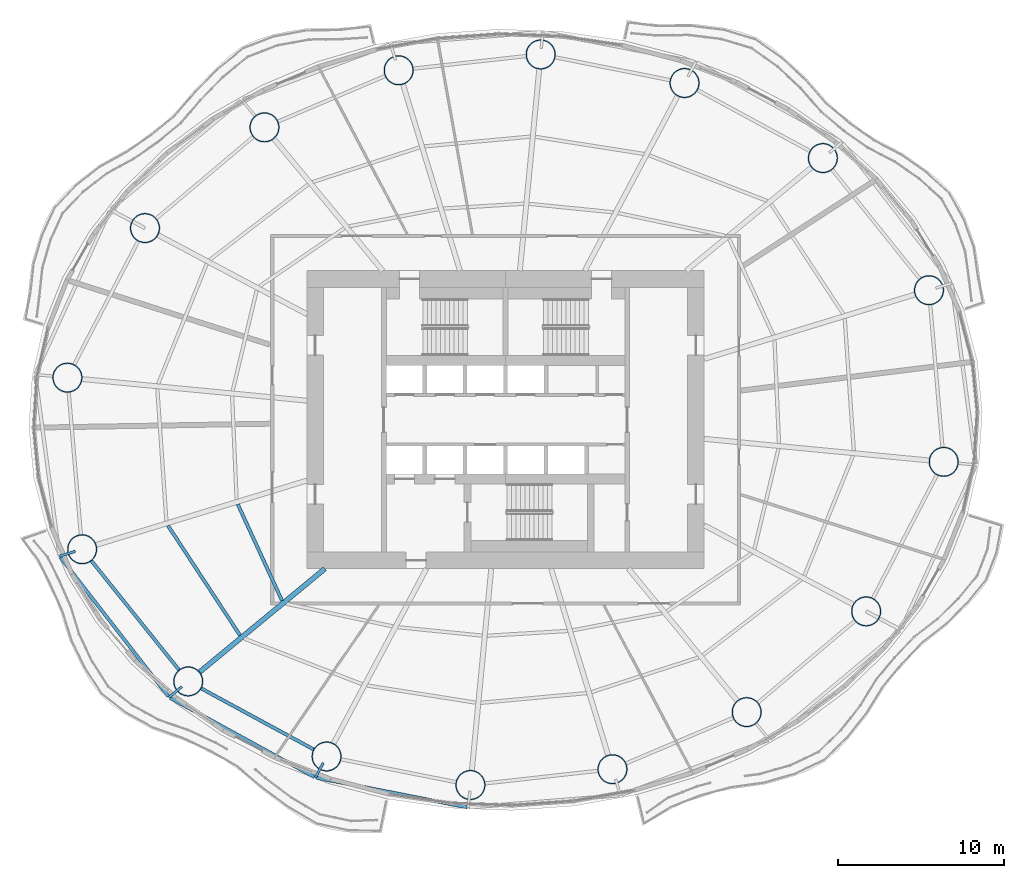
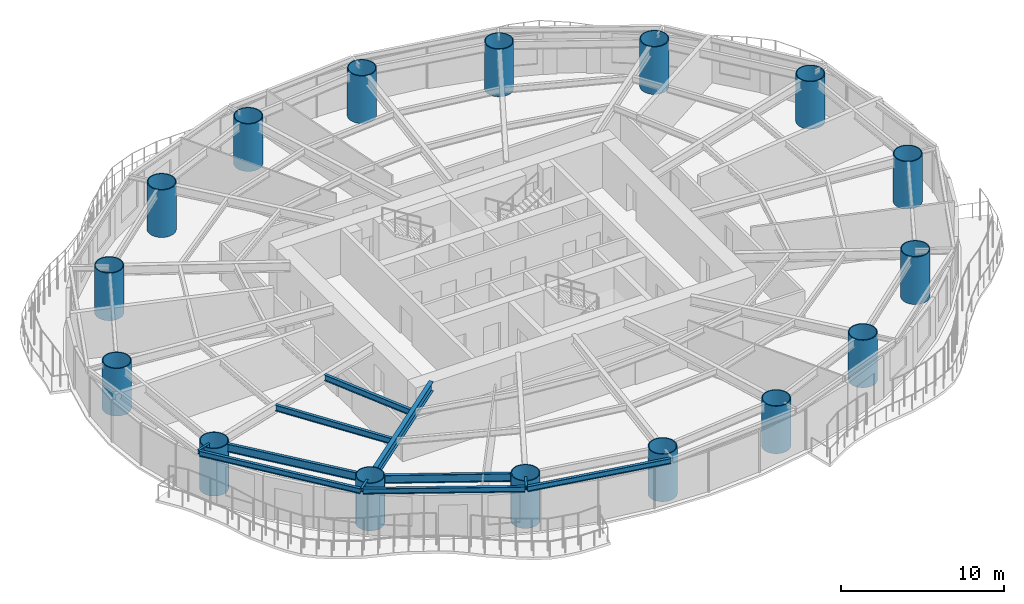
# One storey, part 1 of 17: 16 columns, 11 beams.
"""IFC4 building model written with IfcOpenShell, lengths in metres."""

from ifc_helpers import new_model, si_unit, direction, frame, origin, origin_2d, place, context, subcontext, project, spatial, hollow_circle, i_section, extrude, material, material_profile, profile_set, type_object, element, save


model = new_model("IFC4")

# Units and contexts
model_context = context("Model", 3, precision=1e-05, world=origin(), true_north=direction((0.0, 1.0)))
body_context = subcontext(model_context, "Body", "Model", "MODEL_VIEW")
ifc_project = project(units=[si_unit("LENGTHUNIT", "METRE"), si_unit("AREAUNIT", "SQUARE_METRE"), si_unit("VOLUMEUNIT", "CUBIC_METRE"), si_unit("PLANEANGLEUNIT", "RADIAN"), si_unit("MASSUNIT", "GRAM", prefix="KILO")], contexts=[model_context])

# Site, building, storey
site_placement = place(None, origin())
site = spatial("IfcSite", under=ifc_project, at=site_placement, CompositionType="ELEMENT")
building_placement = place(site_placement, origin())
building = spatial("IfcBuilding", under=site, at=building_placement, Name="Vermilion Reach Broadcast Tower", CompositionType="ELEMENT")
storey_placement = place(building_placement, frame((0.0, 0.0, 39.699951171875)))
storey = spatial("IfcBuildingStorey", under=building, at=storey_placement, Name="L06", CompositionType="ELEMENT", Elevation=39.699951171875)

# Columns
ifc_material_1 = material(Name="Concrete C80 infill in steel S460NL tube", Category="concrete")
ifc_material_profile_1 = material_profile(ifc_material_1, hollow_circle(Radius=0.89990234375, WallThickness=0.06005859375, at=origin_2d()), Name="Concrete C80 infill in steel S460NL tube CFT 1800x60")
ifc_profile_set_1 = profile_set([ifc_material_profile_1], Name="Concrete C80 infill in steel S460NL tube")
column_type = type_object("IfcColumnType", Name="MC1 CFT 1800x60", PredefinedType="COLUMN", material=ifc_profile_set_1)
for number, where, z_axis, x_axis, name in (
    (1, (19.575439453125, 7.823974609375, 0.0), (0.0, 0.0, 1.0), (1.0, 0.0, 0.0), "Mega-column MC1-01"),
    (2, (13.166259765625, 15.804931640625, 0.0), (0.0, 0.0, 1.0), (1.0, 0.0, 0.0), "Mega-column MC1-02"),
    (3, (4.809814453125, 20.3388671875, 0.0), (0.0, 0.0, 1.0), (1.0, 0.0, 0.0), "Mega-column MC1-03"),
    (4, (-3.87939453125, 22.06396484375, 0.0), (0.0, 0.0, 1.0), (1.0, 0.0, 0.0), "Mega-column MC1-04"),
    (5, (-12.45751953125, 21.108154296875, 0.0), (0.0, 0.0, 1.0), (1.0, 0.0, 0.0), "Mega-column MC1-05"),
    (6, (-20.563232421875, 17.660400390625, 0.0), (0.0, 0.0, 1.0), (1.0, 0.0, 0.0), "Mega-column MC1-06"),
    (7, (-27.77978515625, 11.57568359375, 0.0), (0.0, 0.0, 1.0), (1.0, 0.0, 0.0), "Mega-column MC1-07"),
    (8, (-32.464111328125, 2.54345703125, 0.0), (0.0, 0.0, 1.0), (1.0, 0.0, 0.0), "Mega-column MC1-08"),
    (9, (-31.575439453125, -7.823974609375, 0.0), (0.0, 0.0, 1.0), (1.0, 0.0, 0.0), "Mega-column MC1-09"),
    (10, (-25.166259765625, -15.804931640625, 0.0), (0.0, 0.0, 1.0), (1.0, 0.0, 0.0), "Mega-column MC1-10"),
    (11, (-16.809814453125, -20.3388671875, 0.0), (0.0, 0.0, 1.0), (1.0, 0.0, 0.0), "Mega-column MC1-11"),
    (12, (-8.12060546875, -22.06396484375, 0.0), (0.0, 0.0, 1.0), (1.0, 0.0, 0.0), "Mega-column MC1-12"),
    (13, (0.45751953125, -21.108154296875, 0.0), (0.0, 0.0, 1.0), (1.0, 0.0, 0.0), "Mega-column MC1-13"),
    (14, (8.563232421875, -17.660400390625, 0.0), (0.0, 0.0, 1.0), (1.0, 0.0, 0.0), "Mega-column MC1-14"),
    (15, (15.77978515625, -11.57568359375, 0.0), (0.0, 0.0, 1.0), (1.0, 0.0, 0.0), "Mega-column MC1-15"),
    (16, (20.464111328125, -2.54345703125, 0.0), (0.0, 0.0, 1.0), (1.0, 0.0, 0.0), "Mega-column MC1-16"),
):
    element("IfcColumn", number, at=place(storey_placement, frame(where, z_axis=z_axis, x_axis=x_axis)), inside=storey, type_object=column_type, Name=name, PredefinedType="COLUMN", context=body_context, shape_type="SweptSolid", body=[
        extrude(hollow_circle(Radius=0.89990234375, WallThickness=0.06005859375, at=origin_2d()), origin(), (0.0, 0.0, 1.0), 3.550048828125),
    ])

# Beams
ifc_material_2 = material(Name="Steel S355J2", Category="steel")
ifc_material_profile_2 = material_profile(ifc_material_2, i_section(OverallWidth=0.199951171875, OverallDepth=0.39990234375, WebThickness=0.008056640625, FlangeThickness=0.012939453125, at=origin_2d()), Name="S355J2 HN 400x200x8x13")
ifc_profile_set_2 = profile_set([ifc_material_profile_2], Name="Steel S355J2")
beam_type_1 = type_object("IfcBeamType", Name="EB1 HN 400x200x8x13", PredefinedType="BEAM", material=ifc_profile_set_2)
beam_1_placement = place(storey_placement, frame((-32.89013671875, -8.3046875, 3.35009765625), z_axis=(0.613201005057, -0.789926912694, 0.0), x_axis=(0.789926912694, 0.613201005057, 0.0)))
element("IfcBeam", 17, at=beam_1_placement, inside=storey, type_object=beam_type_1, Name="Edge beam EB1-09", PredefinedType="BEAM", context=body_context, shape_type="SweptSolid", body=[
    extrude(i_section(OverallWidth=0.199951171875, OverallDepth=0.39990234375, WebThickness=0.008056640625, FlangeThickness=0.012939453125, at=origin_2d()), origin(), (0.0, 0.0, 1.0), 10.63037109375),
])
beam_2_placement = place(storey_placement, frame((-26.2548828125, -16.800048828125, 3.35009765625), z_axis=(0.876628386575, -0.481168028709, 0.0), x_axis=(0.481168028709, 0.876628386575, 0.0)))
element("IfcBeam", 18, at=beam_2_placement, inside=storey, type_object=beam_type_1, Name="Edge beam EB1-10", PredefinedType="BEAM", context=body_context, shape_type="SweptSolid", body=[
    extrude(i_section(OverallWidth=0.199951171875, OverallDepth=0.39990234375, WebThickness=0.008056640625, FlangeThickness=0.012939453125, at=origin_2d()), origin(), (0.0, 0.0, 1.0), 9.927001953125),
])
beam_3_placement = place(storey_placement, frame((-17.409912109375, -21.627685546875, 3.35009765625), z_axis=(0.981310136969, -0.192432884616, 0.0), x_axis=(0.192432884616, 0.981310136969, 0.0)))
element("IfcBeam", 19, at=beam_3_placement, inside=storey, type_object=beam_type_1, Name="Edge beam EB1-11", PredefinedType="BEAM", context=body_context, shape_type="SweptSolid", body=[
    extrude(i_section(OverallWidth=0.199951171875, OverallDepth=0.39990234375, WebThickness=0.008056640625, FlangeThickness=0.012939453125, at=origin_2d()), origin(), (0.0, 0.0, 1.0), 9.2578125),
])
ifc_material_3 = material(Name="Steel S355J2", Category="steel")
ifc_material_profile_3 = material_profile(ifc_material_3, i_section(OverallWidth=0.300048828125, OverallDepth=0.699951171875, WebThickness=0.012939453125, FlangeThickness=0.02392578125, at=origin_2d()), Name="S355J2 HN 700x300x13x24")
ifc_profile_set_3 = profile_set([ifc_material_profile_3], Name="Steel S355J2")
beam_type_2 = type_object("IfcBeamType", Name="G1 HN 700x300x13x24", PredefinedType="BEAM", material=ifc_profile_set_3)
beam_4_placement = place(storey_placement, frame((-16.9140625, -9.0, 3.199951171875), z_axis=(-0.771514256373, -0.636212034005, 0.0), x_axis=(0.636212034005, -0.771514256373, 0.0)))
element("IfcBeam", 20, at=beam_4_placement, inside=storey, type_object=beam_type_2, Name="Girder G1-10", PredefinedType="BEAM", context=body_context, shape_type="SweptSolid", body=[
    extrude(i_section(OverallWidth=0.300048828125, OverallDepth=0.699951171875, WebThickness=0.012939453125, FlangeThickness=0.02392578125, at=origin_2d()), origin(), (0.0, 0.0, 1.0), 9.796142578125),
])
ifc_material_4 = material(Name="Steel S355J2", Category="steel")
ifc_material_profile_4 = material_profile(ifc_material_4, i_section(OverallWidth=0.14990234375, OverallDepth=0.300048828125, WebThickness=0.006591796875, FlangeThickness=0.009033203125, at=origin_2d()), Name="S355J2 HN 300x150x6.5x9")
ifc_profile_set_4 = profile_set([ifc_material_profile_4], Name="Steel S355J2")
beam_type_3 = type_object("IfcBeamType", Name="GS1 HN 300x150x6.5x9", PredefinedType="BEAM", material=ifc_profile_set_4)
for number, where, z_axis, x_axis, name in (
    (21, (-31.983154296875, -7.94873046875, 3.400146484375), (-0.956205533022, -0.292696051594, 0.0), (0.292696051594, -0.956205533022, 0.0), "Cantilever stub GS1-09"),
    (22, (-25.55419921875, -16.125, 3.400146484375), (-0.771493112118, -0.636237674108, 0.0), (0.636237674108, -0.771493112118, 0.0), "Cantilever stub GS1-10"),
    (23, (-17.017578125, -20.7294921875, 3.400146484375), (-0.469244476458, -0.883068299348, 0.0), (0.883068299348, -0.469244476458, 0.0), "Cantilever stub GS1-11"),
):
    element("IfcBeam", number, at=place(storey_placement, frame(where, z_axis=z_axis, x_axis=x_axis)), inside=storey, type_object=beam_type_3, Name=name, PredefinedType="BEAM", context=body_context, shape_type="SweptSolid", body=[
        extrude(i_section(OverallWidth=0.14990234375, OverallDepth=0.300048828125, WebThickness=0.006591796875, FlangeThickness=0.009033203125, at=origin_2d()), origin(), (0.0, 0.0, 1.0), 1.0),
    ])
ifc_material_5 = material(Name="Steel S355J2", Category="steel")
ifc_material_profile_5 = material_profile(ifc_material_5, i_section(OverallWidth=0.199951171875, OverallDepth=0.60009765625, WebThickness=0.010986328125, FlangeThickness=0.01708984375, at=origin_2d()), Name="S355J2 HN 600x200x11x17")
ifc_profile_set_5 = profile_set([ifc_material_profile_5], Name="Steel S355J2")
beam_type_4 = type_object("IfcBeamType", Name="RB1 HN 600x200x11x17", PredefinedType="BEAM", material=ifc_profile_set_5)
beam_5_placement = place(storey_placement, frame((-31.011962890625, -8.52587890625, 3.25), z_axis=(0.626162157191, -0.779692858055, 0.0), x_axis=(0.779692858055, 0.626162157191, 0.0)))
element("IfcBeam", 24, at=beam_5_placement, inside=storey, type_object=beam_type_4, Name="Ring beam RB1-09", PredefinedType="BEAM", context=body_context, shape_type="SweptSolid", body=[
    extrude(i_section(OverallWidth=0.199951171875, OverallDepth=0.60009765625, WebThickness=0.010986328125, FlangeThickness=0.01708984375, at=origin_2d()), origin(), (0.0, 0.0, 1.0), 8.435791015625),
])
beam_6_placement = place(storey_placement, frame((-24.375244140625, -16.234130859375, 3.25), z_axis=(0.878962319551, -0.476891225344, 0.0), x_axis=(0.476891225344, 0.878962319551, 0.0)))
element("IfcBeam", 25, at=beam_6_placement, inside=storey, type_object=beam_type_4, Name="Ring beam RB1-10", PredefinedType="BEAM", context=body_context, shape_type="SweptSolid", body=[
    extrude(i_section(OverallWidth=0.199951171875, OverallDepth=0.60009765625, WebThickness=0.010986328125, FlangeThickness=0.01708984375, at=origin_2d()), origin(), (0.0, 0.0, 1.0), 7.707275390625),
])
ifc_material_6 = material(Name="Steel S355J2", Category="steel")
ifc_material_profile_6 = material_profile(ifc_material_6, i_section(OverallWidth=0.199951171875, OverallDepth=0.449951171875, WebThickness=0.009033203125, FlangeThickness=0.013916015625, at=origin_2d()), Name="S355J2 HN 450x200x9x14")
ifc_profile_set_6 = profile_set([ifc_material_profile_6], Name="Steel S355J2")
beam_type_5 = type_object("IfcBeamType", Name="SB1 HN 450x200x9x14", PredefinedType="BEAM", material=ifc_profile_set_6)
beam_7_placement = place(storey_placement, frame((-22.175048828125, -5.105224609375, 3.324951171875), z_axis=(0.417211452529, -0.908809443106, 0.0), x_axis=(0.908809443106, 0.417211452529, 0.0)))
element("IfcBeam", 26, at=beam_7_placement, inside=storey, type_object=beam_type_5, Name="Secondary beam SB1-09-1", PredefinedType="BEAM", context=body_context, shape_type="SweptSolid", body=[
    extrude(i_section(OverallWidth=0.199951171875, OverallDepth=0.449951171875, WebThickness=0.009033203125, FlangeThickness=0.013916015625, at=origin_2d()), origin(), (0.0, 0.0, 1.0), 6.41650390625),
])
beam_8_placement = place(storey_placement, frame((-26.390625, -6.394775390625, 3.324951171875), z_axis=(0.548800909102, -0.835953086105, 0.0), x_axis=(0.835953086105, 0.548800909102, 0.0)))
element("IfcBeam", 27, at=beam_8_placement, inside=storey, type_object=beam_type_5, Name="Secondary beam SB1-09-2", PredefinedType="BEAM", context=body_context, shape_type="SweptSolid", body=[
    extrude(i_section(OverallWidth=0.199951171875, OverallDepth=0.449951171875, WebThickness=0.009033203125, FlangeThickness=0.013916015625, at=origin_2d()), origin(), (0.0, 0.0, 1.0), 7.935791015625),
])

save(model, "model.ifc")
